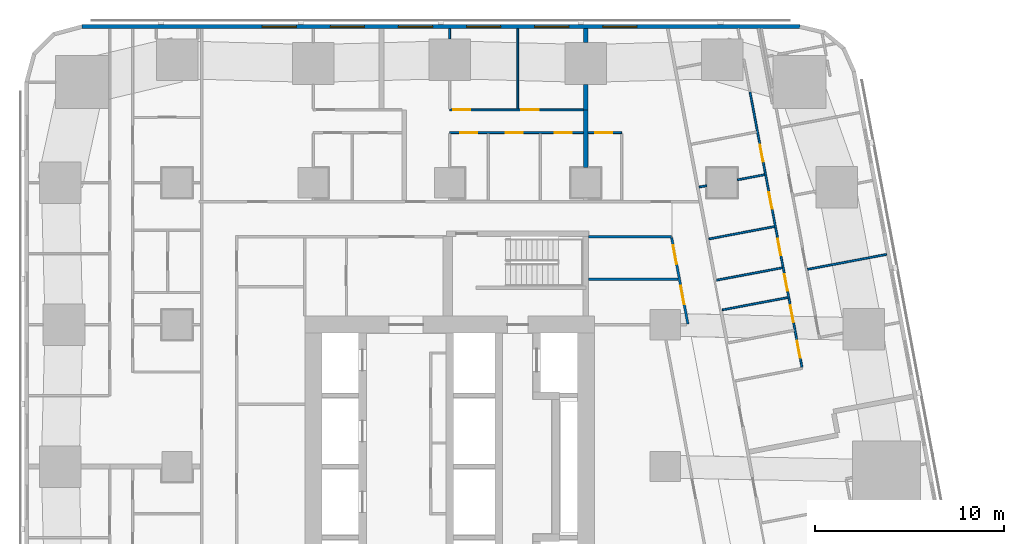
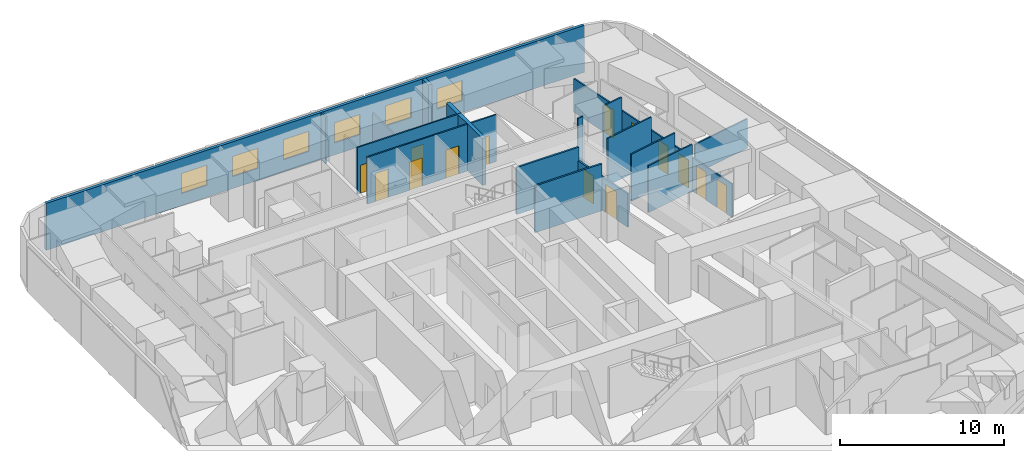
# One storey, part 11 of 17: 19 walls, 14 doors, 6 windows, 20 openings.
"""IFC4 building model written with IfcOpenShell, lengths in metres."""

from ifc_helpers import new_model, si_unit, direction, frame, frame_2d, origin, place, context, subcontext, project, spatial, rectangle, extrude, material, layer, layer_set, type_object, element, fill, save


model = new_model("IFC4")

# Units and contexts
model_context = context("Model", 3, precision=1e-05, world=origin(), true_north=direction((0.0, 1.0)))
body_context = subcontext(model_context, "Body", "Model", "MODEL_VIEW")
ifc_project = project(units=[si_unit("LENGTHUNIT", "METRE"), si_unit("AREAUNIT", "SQUARE_METRE"), si_unit("VOLUMEUNIT", "CUBIC_METRE"), si_unit("PLANEANGLEUNIT", "RADIAN"), si_unit("MASSUNIT", "GRAM", prefix="KILO")], contexts=[model_context])

# Site, building, storey
site_placement = place(None, origin())
site = spatial("IfcSite", under=ifc_project, at=site_placement, CompositionType="ELEMENT")
building_placement = place(site_placement, origin())
building = spatial("IfcBuilding", under=site, at=building_placement, Name="Sheger Commons Tower", CompositionType="ELEMENT")
storey_placement = place(building_placement, frame((0.0, 0.0, 119.14990234375)))
storey = spatial("IfcBuildingStorey", under=building, at=storey_placement, Name="L30", CompositionType="ELEMENT", Elevation=119.14990234375)

# Walls
ifc_material_1 = material(Name="Dense concrete block masonry, plastered both sides (separating wall between flats)", Category="masonry")
ifc_layer_1 = layer(ifc_material_1, 0.25)
ifc_layer_set_1 = layer_set([ifc_layer_1], Name="DEMISING WALL 250")
wall_type_1 = type_object("IfcWallType", Name="DEMISING WALL 250", PredefinedType="SOLIDWALL", material=ifc_layer_set_1)
wall_1_placement = place(storey_placement, frame((28.800048828125, 41.35009765625, 0.0), z_axis=(0.0, 0.0, 1.0), x_axis=(0.0, 1.0, 0.0)))
element("IfcWall", 1, at=wall_1_placement, inside=storey, type_object=wall_type_1, Name="Demising wall L30", PredefinedType="SOLIDWALL", context=body_context, shape_type="SweptSolid", body=[
    extrude(rectangle(XDim=1.348876953125, YDim=0.25, at=frame_2d((0.67431640625, 0.0))), origin(), (0.0, 0.0, 1.0), 3.5),
])
wall_2_placement = place(storey_placement, frame((28.800048828125, 44.90087890625, 0.0), z_axis=(0.0, 0.0, 1.0), x_axis=(0.0, 1.0, 0.0)))
element("IfcWall", 2, at=wall_2_placement, inside=storey, type_object=wall_type_1, Name="Demising wall L30", PredefinedType="SOLIDWALL", context=body_context, shape_type="SweptSolid", body=[
    extrude(rectangle(XDim=0.7490234375, YDim=0.25, at=frame_2d((0.37451171875, 0.0))), origin(), (0.0, 0.0, 1.0), 3.5),
])
wall_3_placement = place(storey_placement, frame((28.800048828125, 38.301025390625, 0.0), z_axis=(0.0, 0.0, 1.0), x_axis=(0.0, 1.0, 0.0)))
element("IfcWall", 3, at=wall_3_placement, inside=storey, type_object=wall_type_1, Name="Demising wall L30", PredefinedType="SOLIDWALL", context=body_context, shape_type="SweptSolid", body=[
    extrude(rectangle(XDim=3.049072265625, YDim=0.25, at=frame_2d((1.5244140625, 0.0))), origin(), (0.0, 0.0, 1.0), 3.5),
])

# Wall, openings, windows
ifc_material_2 = material(Name="Rendered concrete block masonry, dark grey", Category="masonry")
ifc_layer_2 = layer(ifc_material_2, 0.199951171875)
ifc_layer_set_2 = layer_set([ifc_layer_2], Name="FACADE WALL 200")
wall_type_2 = type_object("IfcWallType", Name="FACADE WALL 200", PredefinedType="SOLIDWALL", material=ifc_layer_set_2)
wall_4_placement = place(storey_placement, frame((40.10595703125, 45.75, 0.0), z_axis=(0.0, 0.0, 1.0), x_axis=(-1.0, 0.0, 0.0)))
wall_4 = element("IfcWall", 4, at=wall_4_placement, inside=storey, type_object=wall_type_2, Name="Facade wall L30", PredefinedType="SOLIDWALL", context=body_context, shape_type="SweptSolid", body=[
    extrude(rectangle(XDim=37.94287109375, YDim=0.199951171875, at=frame_2d((18.971435546875, 0.0))), origin(), (0.0, 0.0, 1.0), 3.5),
])
opening_1_placement = place(wall_4_placement, frame((8.60595703125, 0.0, 0.89990234375)))
opening_1 = element("IfcOpeningElement", 5, at=opening_1_placement, cuts=wall_4, Name="Opening W2", PredefinedType="OPENING", context=body_context, shape_type="SweptSolid", body=[
    extrude(rectangle(XDim=1.800048828125, YDim=1.5, at=frame_2d((0.89990234375, 0.75))), frame((0.0, 0.10986328125, 0.0), z_axis=(0.0, -1.0, 0.0), x_axis=(1.0, 0.0, 0.0)), (0.0, 0.0, 1.0), 0.219970703125),
])
opening_2_placement = place(wall_4_placement, frame((12.2060546875, 0.0, 0.89990234375)))
opening_2 = element("IfcOpeningElement", 6, at=opening_2_placement, cuts=wall_4, Name="Opening W2", PredefinedType="OPENING", context=body_context, shape_type="SweptSolid", body=[
    extrude(rectangle(XDim=1.800048828125, YDim=1.5, at=frame_2d((0.89990234375, 0.75))), frame((0.0, 0.10986328125, 0.0), z_axis=(0.0, -1.0, 0.0), x_axis=(1.0, 0.0, 0.0)), (0.0, 0.0, 1.0), 0.219970703125),
])
opening_3_placement = place(wall_4_placement, frame((15.805908203125, 0.0, 0.89990234375)))
opening_3 = element("IfcOpeningElement", 7, at=opening_3_placement, cuts=wall_4, Name="Opening W2", PredefinedType="OPENING", context=body_context, shape_type="SweptSolid", body=[
    extrude(rectangle(XDim=1.800048828125, YDim=1.5, at=frame_2d((0.89990234375, 0.75))), frame((0.0, 0.10986328125, 0.0), z_axis=(0.0, -1.0, 0.0), x_axis=(1.0, 0.0, 0.0)), (0.0, 0.0, 1.0), 0.219970703125),
])
opening_4_placement = place(wall_4_placement, frame((19.406005859375, 0.0, 0.89990234375)))
opening_4 = element("IfcOpeningElement", 8, at=opening_4_placement, cuts=wall_4, Name="Opening W2", PredefinedType="OPENING", context=body_context, shape_type="SweptSolid", body=[
    extrude(rectangle(XDim=1.800048828125, YDim=1.5, at=frame_2d((0.89990234375, 0.75))), frame((0.0, 0.10986328125, 0.0), z_axis=(0.0, -1.0, 0.0), x_axis=(1.0, 0.0, 0.0)), (0.0, 0.0, 1.0), 0.219970703125),
])
opening_5_placement = place(wall_4_placement, frame((23.006103515625, 0.0, 0.89990234375)))
opening_5 = element("IfcOpeningElement", 9, at=opening_5_placement, cuts=wall_4, Name="Opening W2", PredefinedType="OPENING", context=body_context, shape_type="SweptSolid", body=[
    extrude(rectangle(XDim=1.800048828125, YDim=1.5, at=frame_2d((0.89990234375, 0.75))), frame((0.0, 0.10986328125, 0.0), z_axis=(0.0, -1.0, 0.0), x_axis=(1.0, 0.0, 0.0)), (0.0, 0.0, 1.0), 0.219970703125),
])
opening_6_placement = place(wall_4_placement, frame((26.60595703125, 0.0, 0.89990234375)))
opening_6 = element("IfcOpeningElement", 10, at=opening_6_placement, cuts=wall_4, Name="Opening W2", PredefinedType="OPENING", context=body_context, shape_type="SweptSolid", body=[
    extrude(rectangle(XDim=1.800048828125, YDim=1.5, at=frame_2d((0.89990234375, 0.75))), frame((0.0, 0.10986328125, 0.0), z_axis=(0.0, -1.0, 0.0), x_axis=(1.0, 0.0, 0.0)), (0.0, 0.0, 1.0), 0.219970703125),
])
ifc_material_3 = material(Name="Black aluminium frame, dark tinted double glazing", Category="aluminium")
window_type = type_object("IfcWindowType", Name="WINDOW W2 1800x1500", PartitioningType="SINGLE_PANEL", PredefinedType="WINDOW", material=ifc_material_3)
window_1_placement = place(opening_1_placement, origin())
window_1 = element("IfcWindow", 11, at=window_1_placement, inside=storey, type_object=window_type, Name="Window W2 1800X1500", OverallHeight=1.5, OverallWidth=1.800048828125, PartitioningType="SINGLE_PANEL", PredefinedType="WINDOW", context=body_context, shape_type="SweptSolid", body=[
    extrude(rectangle(XDim=1.800048828125, YDim=1.5, at=frame_2d((0.89990234375, 0.75))), frame((0.0, 0.030029296875, 0.0), z_axis=(0.0, -1.0, 0.0), x_axis=(1.0, 0.0, 0.0)), (0.0, 0.0, 1.0), 0.06005859375),
])
fill(opening_1, window_1)
window_2_placement = place(opening_2_placement, origin())
window_2 = element("IfcWindow", 12, at=window_2_placement, inside=storey, type_object=window_type, Name="Window W2 1800X1500", OverallHeight=1.5, OverallWidth=1.800048828125, PartitioningType="SINGLE_PANEL", PredefinedType="WINDOW", context=body_context, shape_type="SweptSolid", body=[
    extrude(rectangle(XDim=1.800048828125, YDim=1.5, at=frame_2d((0.89990234375, 0.75))), frame((0.0, 0.030029296875, 0.0), z_axis=(0.0, -1.0, 0.0), x_axis=(1.0, 0.0, 0.0)), (0.0, 0.0, 1.0), 0.06005859375),
])
fill(opening_2, window_2)
window_3_placement = place(opening_3_placement, origin())
window_3 = element("IfcWindow", 13, at=window_3_placement, inside=storey, type_object=window_type, Name="Window W2 1800X1500", OverallHeight=1.5, OverallWidth=1.800048828125, PartitioningType="SINGLE_PANEL", PredefinedType="WINDOW", context=body_context, shape_type="SweptSolid", body=[
    extrude(rectangle(XDim=1.800048828125, YDim=1.5, at=frame_2d((0.89990234375, 0.75))), frame((0.0, 0.030029296875, 0.0), z_axis=(0.0, -1.0, 0.0), x_axis=(1.0, 0.0, 0.0)), (0.0, 0.0, 1.0), 0.06005859375),
])
fill(opening_3, window_3)
window_4_placement = place(opening_4_placement, origin())
window_4 = element("IfcWindow", 14, at=window_4_placement, inside=storey, type_object=window_type, Name="Window W2 1800X1500", OverallHeight=1.5, OverallWidth=1.800048828125, PartitioningType="SINGLE_PANEL", PredefinedType="WINDOW", context=body_context, shape_type="SweptSolid", body=[
    extrude(rectangle(XDim=1.800048828125, YDim=1.5, at=frame_2d((0.89990234375, 0.75))), frame((0.0, 0.030029296875, 0.0), z_axis=(0.0, -1.0, 0.0), x_axis=(1.0, 0.0, 0.0)), (0.0, 0.0, 1.0), 0.06005859375),
])
fill(opening_4, window_4)
window_5_placement = place(opening_5_placement, origin())
window_5 = element("IfcWindow", 15, at=window_5_placement, inside=storey, type_object=window_type, Name="Window W2 1800X1500", OverallHeight=1.5, OverallWidth=1.800048828125, PartitioningType="SINGLE_PANEL", PredefinedType="WINDOW", context=body_context, shape_type="SweptSolid", body=[
    extrude(rectangle(XDim=1.800048828125, YDim=1.5, at=frame_2d((0.89990234375, 0.75))), frame((0.0, 0.030029296875, 0.0), z_axis=(0.0, -1.0, 0.0), x_axis=(1.0, 0.0, 0.0)), (0.0, 0.0, 1.0), 0.06005859375),
])
fill(opening_5, window_5)
window_6_placement = place(opening_6_placement, origin())
window_6 = element("IfcWindow", 16, at=window_6_placement, inside=storey, type_object=window_type, Name="Window W2 1800X1500", OverallHeight=1.5, OverallWidth=1.800048828125, PartitioningType="SINGLE_PANEL", PredefinedType="WINDOW", context=body_context, shape_type="SweptSolid", body=[
    extrude(rectangle(XDim=1.800048828125, YDim=1.5, at=frame_2d((0.89990234375, 0.75))), frame((0.0, 0.030029296875, 0.0), z_axis=(0.0, -1.0, 0.0), x_axis=(1.0, 0.0, 0.0)), (0.0, 0.0, 1.0), 0.06005859375),
])
fill(opening_6, window_6)

# Wall, openings, doors
ifc_material_4 = material(Name="Gypsum board on steel studs", Category="steel")
ifc_layer_3 = layer(ifc_material_4, 0.10009765625)
ifc_layer_set_3 = layer_set([ifc_layer_3], Name="PARTITION 100")
wall_type_3 = type_object("IfcWallType", Name="PARTITION 100", PredefinedType="PARTITIONING", material=ifc_layer_set_3)
wall_5_placement = place(storey_placement, frame((37.472900390625, 42.30908203125, 0.0), z_axis=(0.0, 0.0, 1.0), x_axis=(0.185583982986, -0.982628406499, 0.0)))
wall_5 = element("IfcWall", 17, at=wall_5_placement, inside=storey, type_object=wall_type_3, Name="Partition L30", PredefinedType="PARTITIONING", context=body_context, shape_type="SweptSolid", body=[
    extrude(rectangle(XDim=14.82470703125, YDim=0.10009765625, at=frame_2d((7.412353515625, 0.0))), origin(), (0.0, 0.0, 1.0), 2.5),
])
opening_7_placement = place(wall_5_placement, frame((13.39990234375, 0.0, 0.0)))
opening_7 = element("IfcOpeningElement", 18, at=opening_7_placement, cuts=wall_5, Name="Opening D2", PredefinedType="OPENING", context=body_context, shape_type="SweptSolid", body=[
    extrude(rectangle(XDim=0.89990234375, YDim=2.10009765625, at=frame_2d((0.449951171875, 1.050048828125))), frame((0.0, 0.06005859375, 0.0), z_axis=(0.0, -1.0, 0.0), x_axis=(1.0, 0.0, 0.0)), (0.0, 0.0, 1.0), 0.1201171875),
])
opening_8_placement = place(wall_5_placement, frame((9.80810546875, 0.0, 0.0)))
opening_8 = element("IfcOpeningElement", 19, at=opening_8_placement, cuts=wall_5, Name="Opening D2", PredefinedType="OPENING", context=body_context, shape_type="SweptSolid", body=[
    extrude(rectangle(XDim=0.89990234375, YDim=2.10009765625, at=frame_2d((0.449951171875, 1.050048828125))), frame((0.0, 0.06005859375, 0.0), z_axis=(0.0, -1.0, 0.0), x_axis=(1.0, 0.0, 0.0)), (0.0, 0.0, 1.0), 0.1201171875),
])
opening_9_placement = place(wall_5_placement, frame((5.39697265625, 0.0, 0.0)))
opening_9 = element("IfcOpeningElement", 20, at=opening_9_placement, cuts=wall_5, Name="Opening D2", PredefinedType="OPENING", context=body_context, shape_type="SweptSolid", body=[
    extrude(rectangle(XDim=0.89990234375, YDim=2.10009765625, at=frame_2d((0.449951171875, 1.050048828125))), frame((0.0, 0.06005859375, 0.0), z_axis=(0.0, -1.0, 0.0), x_axis=(1.0, 0.0, 0.0)), (0.0, 0.0, 1.0), 0.1201171875),
])
opening_10_placement = place(wall_5_placement, frame((2.85302734375, 0.0, 0.0)))
opening_10 = element("IfcOpeningElement", 21, at=opening_10_placement, cuts=wall_5, Name="Opening D2", PredefinedType="OPENING", context=body_context, shape_type="SweptSolid", body=[
    extrude(rectangle(XDim=0.89990234375, YDim=2.10009765625, at=frame_2d((0.449951171875, 1.050048828125))), frame((0.0, 0.06005859375, 0.0), z_axis=(0.0, -1.0, 0.0), x_axis=(1.0, 0.0, 0.0)), (0.0, 0.0, 1.0), 0.1201171875),
])
opening_11_placement = place(wall_5_placement, frame((11.490966796875, 0.0, 0.0)))
opening_11 = element("IfcOpeningElement", 22, at=opening_11_placement, cuts=wall_5, Name="Opening D2", PredefinedType="OPENING", context=body_context, shape_type="SweptSolid", body=[
    extrude(rectangle(XDim=0.89990234375, YDim=2.10009765625, at=frame_2d((0.449951171875, 1.050048828125))), frame((0.0, 0.06005859375, 0.0), z_axis=(0.0, -1.0, 0.0), x_axis=(1.0, 0.0, 0.0)), (0.0, 0.0, 1.0), 0.1201171875),
])
opening_12_placement = place(wall_5_placement, frame((7.89990234375, 0.0, 0.0)))
opening_12 = element("IfcOpeningElement", 23, at=opening_12_placement, cuts=wall_5, Name="Opening D2", PredefinedType="OPENING", context=body_context, shape_type="SweptSolid", body=[
    extrude(rectangle(XDim=0.89990234375, YDim=2.10009765625, at=frame_2d((0.449951171875, 1.050048828125))), frame((0.0, 0.06005859375, 0.0), z_axis=(0.0, -1.0, 0.0), x_axis=(1.0, 0.0, 0.0)), (0.0, 0.0, 1.0), 0.1201171875),
])
ifc_material_5 = material(Name="Timber door set", Category="wood")
door_type_1 = type_object("IfcDoorType", Name="INTERNAL DOOR 900x2100", OperationType="NOTDEFINED", PredefinedType="DOOR", material=ifc_material_5)
door_1_placement = place(opening_7_placement, origin())
door_1 = element("IfcDoor", 24, at=door_1_placement, inside=storey, type_object=door_type_1, Name="Bathroom door", OperationType="SINGLE_SWING_LEFT", OverallHeight=2.10009765625, OverallWidth=0.89990234375, PredefinedType="DOOR", context=body_context, shape_type="SweptSolid", body=[
    extrude(rectangle(XDim=0.89990234375, YDim=2.10009765625, at=frame_2d((0.449951171875, 1.050048828125))), frame((0.0, 0.02490234375, 0.0), z_axis=(0.0, -1.0, 0.0), x_axis=(1.0, 0.0, 0.0)), (0.0, 0.0, 1.0), 0.050048828125),
])
fill(opening_7, door_1)
door_2_placement = place(opening_8_placement, origin())
door_2 = element("IfcDoor", 25, at=door_2_placement, inside=storey, type_object=door_type_1, Name="Shower room door", OperationType="SINGLE_SWING_RIGHT", OverallHeight=2.10009765625, OverallWidth=0.89990234375, PredefinedType="DOOR", context=body_context, shape_type="SweptSolid", body=[
    extrude(rectangle(XDim=0.89990234375, YDim=2.10009765625, at=frame_2d((0.449951171875, 1.050048828125))), frame((0.0, 0.02490234375, 0.0), z_axis=(0.0, -1.0, 0.0), x_axis=(1.0, 0.0, 0.0)), (0.0, 0.0, 1.0), 0.050048828125),
])
fill(opening_8, door_2)
door_3_placement = place(opening_9_placement, origin())
door_3 = element("IfcDoor", 26, at=door_3_placement, inside=storey, type_object=door_type_1, Name="Store and laundry door", OperationType="SINGLE_SWING_RIGHT", OverallHeight=2.10009765625, OverallWidth=0.89990234375, PredefinedType="DOOR", context=body_context, shape_type="SweptSolid", body=[
    extrude(rectangle(XDim=0.89990234375, YDim=2.10009765625, at=frame_2d((0.449951171875, 1.050048828125))), frame((0.0, 0.02490234375, 0.0), z_axis=(0.0, -1.0, 0.0), x_axis=(1.0, 0.0, 0.0)), (0.0, 0.0, 1.0), 0.050048828125),
])
fill(opening_9, door_3)
door_4_placement = place(opening_10_placement, origin())
door_4 = element("IfcDoor", 27, at=door_4_placement, inside=storey, type_object=door_type_1, Name="Store and laundry door", OperationType="SINGLE_SWING_LEFT", OverallHeight=2.10009765625, OverallWidth=0.89990234375, PredefinedType="DOOR", context=body_context, shape_type="SweptSolid", body=[
    extrude(rectangle(XDim=0.89990234375, YDim=2.10009765625, at=frame_2d((0.449951171875, 1.050048828125))), frame((0.0, 0.02490234375, 0.0), z_axis=(0.0, -1.0, 0.0), x_axis=(1.0, 0.0, 0.0)), (0.0, 0.0, 1.0), 0.050048828125),
])
fill(opening_10, door_4)
door_5_placement = place(opening_11_placement, origin())
door_5 = element("IfcDoor", 28, at=door_5_placement, inside=storey, type_object=door_type_1, Name="Store door", OperationType="SINGLE_SWING_LEFT", OverallHeight=2.10009765625, OverallWidth=0.89990234375, PredefinedType="DOOR", context=body_context, shape_type="SweptSolid", body=[
    extrude(rectangle(XDim=0.89990234375, YDim=2.10009765625, at=frame_2d((0.449951171875, 1.050048828125))), frame((0.0, 0.02490234375, 0.0), z_axis=(0.0, -1.0, 0.0), x_axis=(1.0, 0.0, 0.0)), (0.0, 0.0, 1.0), 0.050048828125),
])
fill(opening_11, door_5)
door_6_placement = place(opening_12_placement, origin())
door_6 = element("IfcDoor", 29, at=door_6_placement, inside=storey, type_object=door_type_1, Name="Store door", OperationType="SINGLE_SWING_LEFT", OverallHeight=2.10009765625, OverallWidth=0.89990234375, PredefinedType="DOOR", context=body_context, shape_type="SweptSolid", body=[
    extrude(rectangle(XDim=0.89990234375, YDim=2.10009765625, at=frame_2d((0.449951171875, 1.050048828125))), frame((0.0, 0.02490234375, 0.0), z_axis=(0.0, -1.0, 0.0), x_axis=(1.0, 0.0, 0.0)), (0.0, 0.0, 1.0), 0.050048828125),
])
fill(opening_12, door_6)

# Walls
wall_6_placement = place(storey_placement, frame((44.693115234375, 33.712890625, 0.0), z_axis=(0.0, 0.0, 1.0), x_axis=(-0.982623519589, -0.185609856287, 0.0)))
element("IfcWall", 30, at=wall_6_placement, inside=storey, type_object=wall_type_3, Name="Partition L30", PredefinedType="PARTITIONING", context=body_context, shape_type="SweptSolid", body=[
    extrude(rectangle(XDim=4.249755859375, YDim=0.10009765625, at=frame_2d((2.125, 0.0))), origin(), (0.0, 0.0, 1.0), 2.2001953125),
])
wall_7_placement = place(storey_placement, frame((38.25, 37.925048828125, 0.0), z_axis=(0.0, 0.0, 1.0), x_axis=(-0.982626127294, -0.185596050493, 0.0)))
element("IfcWall", 31, at=wall_7_placement, inside=storey, type_object=wall_type_3, Name="Partition L30", PredefinedType="PARTITIONING", context=body_context, shape_type="SweptSolid", body=[
    extrude(rectangle(XDim=1.46533203125, YDim=0.10009765625, at=frame_2d((0.732666015625, 0.0))), origin(), (0.0, 0.0, 1.0), 3.5),
])
wall_8_placement = place(storey_placement, frame((35.18994140625, 37.346923828125, 0.0), z_axis=(0.0, 0.0, 1.0), x_axis=(-0.982798158448, -0.184682916784, 0.0)))
element("IfcWall", 32, at=wall_8_placement, inside=storey, type_object=wall_type_3, Name="Partition L30", PredefinedType="PARTITIONING", context=body_context, shape_type="SweptSolid", body=[
    extrude(rectangle(XDim=0.4111328125, YDim=0.10009765625, at=frame_2d((0.20556640625, 0.0))), origin(), (0.0, 0.0, 1.0), 3.5),
])
for number, where, z_axis, x_axis, name in (
    (33, (39.47607421875, 31.43408203125, 0.0), (0.0, 0.0, 1.0), (-0.982638553676, -0.185530247748, 0.0), "Partition L30"),
    (34, (38.76806640625, 35.18408203125, 0.0), (0.0, 0.0, 1.0), (-0.982588017646, -0.185797706064, 0.0), "Partition L30"),
):
    element("IfcWall", number, at=place(storey_placement, frame(where, z_axis=z_axis, x_axis=x_axis)), inside=storey, type_object=wall_type_3, Name=name, PredefinedType="PARTITIONING", context=body_context, shape_type="SweptSolid", body=[
        extrude(rectangle(XDim=3.525390625, YDim=0.10009765625, at=frame_2d((1.7626953125, 0.0))), origin(), (0.0, 0.0, 1.0), 3.5),
    ])
wall_9_placement = place(storey_placement, frame((39.178955078125, 33.006103515625, 0.0), z_axis=(0.0, 0.0, 1.0), x_axis=(-0.982636169624, -0.185542874149, 0.0)))
element("IfcWall", 35, at=wall_9_placement, inside=storey, type_object=wall_type_3, Name="Partition L30", PredefinedType="PARTITIONING", context=body_context, shape_type="SweptSolid", body=[
    extrude(rectangle(XDim=3.525146484375, YDim=0.10009765625, at=frame_2d((1.7626953125, 0.0))), origin(), (0.0, 0.0, 1.0), 3.5),
])

# Wall, openings, doors
wall_10_placement = place(storey_placement, frame((21.60009765625, 41.35009765625, 0.0), z_axis=(0.0, 0.0, 1.0), x_axis=(1.0, 0.0, 0.0)))
wall_10 = element("IfcWall", 36, at=wall_10_placement, inside=storey, type_object=wall_type_3, Name="Partition L30", PredefinedType="PARTITIONING", context=body_context, shape_type="SweptSolid", body=[
    extrude(rectangle(XDim=7.074951171875, YDim=0.10009765625, at=frame_2d((3.53759765625, 0.0))), origin(), (0.0, 0.0, 1.0), 3.5),
])
opening_13_placement = place(wall_10_placement, frame((0.199951171875, 0.0, 0.0)))
opening_13 = element("IfcOpeningElement", 37, at=opening_13_placement, cuts=wall_10, Name="Opening D2", PredefinedType="OPENING", context=body_context, shape_type="SweptSolid", body=[
    extrude(rectangle(XDim=0.89990234375, YDim=2.10009765625, at=frame_2d((0.449951171875, 1.050048828125))), frame((0.0, 0.06005859375, 0.0), z_axis=(0.0, -1.0, 0.0), x_axis=(1.0, 0.0, 0.0)), (0.0, 0.0, 1.0), 0.1201171875),
])
opening_14_placement = place(wall_10_placement, frame((3.800048828125, 0.0, 0.0)))
opening_14 = element("IfcOpeningElement", 38, at=opening_14_placement, cuts=wall_10, Name="Opening D2", PredefinedType="OPENING", context=body_context, shape_type="SweptSolid", body=[
    extrude(rectangle(XDim=0.89990234375, YDim=2.10009765625, at=frame_2d((0.449951171875, 1.050048828125))), frame((0.0, 0.06005859375, 0.0), z_axis=(0.0, -1.0, 0.0), x_axis=(1.0, 0.0, 0.0)), (0.0, 0.0, 1.0), 0.1201171875),
])
door_7_placement = place(opening_13_placement, origin())
door_7 = element("IfcDoor", 39, at=door_7_placement, inside=storey, type_object=door_type_1, Name="Main bedroom door", OperationType="SINGLE_SWING_LEFT", OverallHeight=2.10009765625, OverallWidth=0.89990234375, PredefinedType="DOOR", context=body_context, shape_type="SweptSolid", body=[
    extrude(rectangle(XDim=0.89990234375, YDim=2.10009765625, at=frame_2d((0.449951171875, 1.050048828125))), frame((0.0, 0.02490234375, 0.0), z_axis=(0.0, -1.0, 0.0), x_axis=(1.0, 0.0, 0.0)), (0.0, 0.0, 1.0), 0.050048828125),
])
fill(opening_13, door_7)
door_8_placement = place(opening_14_placement, origin())
door_8 = element("IfcDoor", 40, at=door_8_placement, inside=storey, type_object=door_type_1, Name="Bedroom 2 door", OperationType="SINGLE_SWING_LEFT", OverallHeight=2.10009765625, OverallWidth=0.89990234375, PredefinedType="DOOR", context=body_context, shape_type="SweptSolid", body=[
    extrude(rectangle(XDim=0.89990234375, YDim=2.10009765625, at=frame_2d((0.449951171875, 1.050048828125))), frame((0.0, 0.02490234375, 0.0), z_axis=(0.0, -1.0, 0.0), x_axis=(1.0, 0.0, 0.0)), (0.0, 0.0, 1.0), 0.050048828125),
])
fill(opening_14, door_8)

wall_11_placement = place(storey_placement, frame((21.60009765625, 40.14990234375, 0.0), z_axis=(0.0, 0.0, 1.0), x_axis=(1.0, 0.0, 0.0)))
wall_11 = element("IfcWall", 41, at=wall_11_placement, inside=storey, type_object=wall_type_3, Name="Partition L30", PredefinedType="PARTITIONING", context=body_context, shape_type="SweptSolid", body=[
    extrude(rectangle(XDim=7.074951171875, YDim=0.10009765625, at=frame_2d((3.53759765625, 0.0))), origin(), (0.0, 0.0, 1.0), 3.5),
])
opening_15_placement = place(wall_11_placement, frame((0.574951171875, 0.0, 0.0)))
opening_15 = element("IfcOpeningElement", 42, at=opening_15_placement, cuts=wall_11, Name="Opening D2", PredefinedType="OPENING", context=body_context, shape_type="SweptSolid", body=[
    extrude(rectangle(XDim=0.89990234375, YDim=2.10009765625, at=frame_2d((0.449951171875, 1.050048828125))), frame((0.0, 0.06005859375, 0.0), z_axis=(0.0, -1.0, 0.0), x_axis=(1.0, 0.0, 0.0)), (0.0, 0.0, 1.0), 0.1201171875),
])
opening_16_placement = place(wall_11_placement, frame((5.549072265625, 0.0, 0.0)))
opening_16 = element("IfcOpeningElement", 43, at=opening_16_placement, cuts=wall_11, Name="Opening D2", PredefinedType="OPENING", context=body_context, shape_type="SweptSolid", body=[
    extrude(rectangle(XDim=0.89990234375, YDim=2.10009765625, at=frame_2d((0.449951171875, 1.050048828125))), frame((0.0, 0.06005859375, 0.0), z_axis=(0.0, -1.0, 0.0), x_axis=(1.0, 0.0, 0.0)), (0.0, 0.0, 1.0), 0.1201171875),
])
opening_17_placement = place(wall_11_placement, frame((2.97412109375, 0.0, 0.0)))
opening_17 = element("IfcOpeningElement", 44, at=opening_17_placement, cuts=wall_11, Name="Opening D2", PredefinedType="OPENING", context=body_context, shape_type="SweptSolid", body=[
    extrude(rectangle(XDim=0.89990234375, YDim=2.10009765625, at=frame_2d((0.449951171875, 1.050048828125))), frame((0.0, 0.06005859375, 0.0), z_axis=(0.0, -1.0, 0.0), x_axis=(1.0, 0.0, 0.0)), (0.0, 0.0, 1.0), 0.1201171875),
])
door_9_placement = place(opening_15_placement, origin())
door_9 = element("IfcDoor", 45, at=door_9_placement, inside=storey, type_object=door_type_1, Name="Bathroom door", OperationType="SINGLE_SWING_RIGHT", OverallHeight=2.10009765625, OverallWidth=0.89990234375, PredefinedType="DOOR", context=body_context, shape_type="SweptSolid", body=[
    extrude(rectangle(XDim=0.89990234375, YDim=2.10009765625, at=frame_2d((0.449951171875, 1.050048828125))), frame((0.0, 0.02490234375, 0.0), z_axis=(0.0, -1.0, 0.0), x_axis=(1.0, 0.0, 0.0)), (0.0, 0.0, 1.0), 0.050048828125),
])
fill(opening_15, door_9)
door_10_placement = place(opening_16_placement, origin())
door_10 = element("IfcDoor", 46, at=door_10_placement, inside=storey, type_object=door_type_1, Name="Laundry room door", OperationType="SINGLE_SWING_LEFT", OverallHeight=2.10009765625, OverallWidth=0.89990234375, PredefinedType="DOOR", context=body_context, shape_type="SweptSolid", body=[
    extrude(rectangle(XDim=0.89990234375, YDim=2.10009765625, at=frame_2d((0.449951171875, 1.050048828125))), frame((0.0, 0.02490234375, 0.0), z_axis=(0.0, -1.0, 0.0), x_axis=(1.0, 0.0, 0.0)), (0.0, 0.0, 1.0), 0.050048828125),
])
fill(opening_16, door_10)
door_11_placement = place(opening_17_placement, origin())
door_11 = element("IfcDoor", 47, at=door_11_placement, inside=storey, type_object=door_type_1, Name="Store door", OperationType="SINGLE_SWING_RIGHT", OverallHeight=2.10009765625, OverallWidth=0.89990234375, PredefinedType="DOOR", context=body_context, shape_type="SweptSolid", body=[
    extrude(rectangle(XDim=0.89990234375, YDim=2.10009765625, at=frame_2d((0.449951171875, 1.050048828125))), frame((0.0, 0.02490234375, 0.0), z_axis=(0.0, -1.0, 0.0), x_axis=(1.0, 0.0, 0.0)), (0.0, 0.0, 1.0), 0.050048828125),
])
fill(opening_17, door_11)

# Walls
wall_12_placement = place(storey_placement, frame((21.60009765625, 45.10107421875, 0.0), z_axis=(0.0, 0.0, 1.0), x_axis=(0.0, 1.0, 0.0)))
element("IfcWall", 48, at=wall_12_placement, inside=storey, type_object=wall_type_3, Name="Partition L30", PredefinedType="PARTITIONING", context=body_context, shape_type="SweptSolid", body=[
    extrude(rectangle(XDim=0.548828125, YDim=0.10009765625, at=frame_2d((0.2744140625, 0.0))), origin(), (0.0, 0.0, 1.0), 3.5),
])
wall_13_placement = place(storey_placement, frame((25.199951171875, 41.39990234375, 0.0), z_axis=(0.0, 0.0, 1.0), x_axis=(0.0, 1.0, 0.0)))
element("IfcWall", 49, at=wall_13_placement, inside=storey, type_object=wall_type_3, Name="Partition L30", PredefinedType="PARTITIONING", context=body_context, shape_type="SweptSolid", body=[
    extrude(rectangle(XDim=4.25, YDim=0.10009765625, at=frame_2d((2.125, 0.0))), origin(), (0.0, 0.0, 1.0), 2.2001953125),
])

# Wall, opening, door
wall_14_placement = place(storey_placement, frame((28.925048828125, 40.14990234375, 0.0), z_axis=(0.0, 0.0, 1.0), x_axis=(1.0, 0.0, 0.0)))
wall_14 = element("IfcWall", 50, at=wall_14_placement, inside=storey, type_object=wall_type_3, Name="Partition L30", PredefinedType="PARTITIONING", context=body_context, shape_type="SweptSolid", body=[
    extrude(rectangle(XDim=1.764892578125, YDim=0.10009765625, at=frame_2d((0.88232421875, 0.0))), origin(), (0.0, 0.0, 1.0), 3.5),
])
opening_18_placement = place(wall_14_placement, frame((0.375, 0.0, 0.0)))
opening_18 = element("IfcOpeningElement", 51, at=opening_18_placement, cuts=wall_14, Name="Opening D2", PredefinedType="OPENING", context=body_context, shape_type="SweptSolid", body=[
    extrude(rectangle(XDim=0.89990234375, YDim=2.10009765625, at=frame_2d((0.449951171875, 1.050048828125))), frame((0.0, 0.06005859375, 0.0), z_axis=(0.0, -1.0, 0.0), x_axis=(1.0, 0.0, 0.0)), (0.0, 0.0, 1.0), 0.1201171875),
])
door_12_placement = place(opening_18_placement, origin())
door_12 = element("IfcDoor", 52, at=door_12_placement, inside=storey, type_object=door_type_1, Name="Shower room door", OperationType="SINGLE_SWING_RIGHT", OverallHeight=2.10009765625, OverallWidth=0.89990234375, PredefinedType="DOOR", context=body_context, shape_type="SweptSolid", body=[
    extrude(rectangle(XDim=0.89990234375, YDim=2.10009765625, at=frame_2d((0.449951171875, 1.050048828125))), frame((0.0, 0.02490234375, 0.0), z_axis=(0.0, -1.0, 0.0), x_axis=(1.0, 0.0, 0.0)), (0.0, 0.0, 1.0), 0.050048828125),
])
fill(opening_18, door_12)

# Wall
ifc_material_6 = material(Name="Gypsum board on steel studs, two layers each side, fire rated", Category="steel")
ifc_layer_4 = layer(ifc_material_6, 0.125)
ifc_layer_set_4 = layer_set([ifc_layer_4], Name="SERVICE WALL 125")
wall_type_4 = type_object("IfcWallType", Name="SERVICE WALL 125", PredefinedType="PARTITIONING", material=ifc_layer_set_4)
wall_15_placement = place(storey_placement, frame((28.949951171875, 34.64990234375, 0.0), z_axis=(0.0, 0.0, 1.0), x_axis=(1.0, 0.0, 0.0)))
element("IfcWall", 53, at=wall_15_placement, inside=storey, type_object=wall_type_4, Name="Service room wall L30", PredefinedType="PARTITIONING", context=body_context, shape_type="SweptSolid", body=[
    extrude(rectangle(XDim=4.381103515625, YDim=0.125, at=frame_2d((2.1904296875, 0.0))), origin(), (0.0, 0.0, 1.0), 3.5),
])

# Wall, openings, doors
wall_16_placement = place(storey_placement, frame((34.193115234375, 30.0400390625, 0.0), z_axis=(0.0, 0.0, 1.0), x_axis=(-0.185626015863, 0.982620467034, 0.0)))
wall_16 = element("IfcWall", 54, at=wall_16_placement, inside=storey, type_object=wall_type_4, Name="Service room wall L30", PredefinedType="PARTITIONING", context=body_context, shape_type="SweptSolid", body=[
    extrude(rectangle(XDim=4.628173828125, YDim=0.125, at=frame_2d((2.31396484375, 0.0))), origin(), (0.0, 0.0, 1.0), 2.5),
])
opening_19_placement = place(wall_16_placement, frame((1.050048828125, 0.0, 0.0)))
opening_19 = element("IfcOpeningElement", 55, at=opening_19_placement, cuts=wall_16, Name="Opening D4", PredefinedType="OPENING", context=body_context, shape_type="SweptSolid", body=[
    extrude(rectangle(XDim=1.0, YDim=2.10009765625, at=frame_2d((0.5, 1.050048828125))), frame((0.0, 0.072509765625, 0.0), z_axis=(0.0, -1.0, 0.0), x_axis=(1.0, 0.0, 0.0)), (0.0, 0.0, 1.0), 0.14501953125),
])
opening_20_placement = place(wall_16_placement, frame((3.22509765625, 0.0, 0.0)))
opening_20 = element("IfcOpeningElement", 56, at=opening_20_placement, cuts=wall_16, Name="Opening D4", PredefinedType="OPENING", context=body_context, shape_type="SweptSolid", body=[
    extrude(rectangle(XDim=1.0, YDim=2.10009765625, at=frame_2d((0.5, 1.050048828125))), frame((0.0, 0.072509765625, 0.0), z_axis=(0.0, -1.0, 0.0), x_axis=(1.0, 0.0, 0.0)), (0.0, 0.0, 1.0), 0.14501953125),
])
ifc_material_7 = material(Name="Steel door set, fire rated", Category="steel")
door_type_2 = type_object("IfcDoorType", Name="SERVICE DOOR 1000x2100", OperationType="NOTDEFINED", PredefinedType="DOOR", material=ifc_material_7)
door_13_placement = place(opening_19_placement, origin())
door_13 = element("IfcDoor", 57, at=door_13_placement, inside=storey, type_object=door_type_2, Name="Linen store door", OperationType="SINGLE_SWING_RIGHT", OverallHeight=2.10009765625, OverallWidth=1.0, PredefinedType="DOOR", context=body_context, shape_type="SweptSolid", body=[
    extrude(rectangle(XDim=1.0, YDim=2.10009765625, at=frame_2d((0.5, 1.050048828125))), frame((0.0, 0.02490234375, 0.0), z_axis=(0.0, -1.0, 0.0), x_axis=(1.0, 0.0, 0.0)), (0.0, 0.0, 1.0), 0.050048828125),
])
fill(opening_19, door_13)
door_14_placement = place(opening_20_placement, origin())
door_14 = element("IfcDoor", 58, at=door_14_placement, inside=storey, type_object=door_type_2, Name="Cleaner's store door", OperationType="SINGLE_SWING_RIGHT", OverallHeight=2.10009765625, OverallWidth=1.0, PredefinedType="DOOR", context=body_context, shape_type="SweptSolid", body=[
    extrude(rectangle(XDim=1.0, YDim=2.10009765625, at=frame_2d((0.5, 1.050048828125))), frame((0.0, 0.02490234375, 0.0), z_axis=(0.0, -1.0, 0.0), x_axis=(1.0, 0.0, 0.0)), (0.0, 0.0, 1.0), 0.050048828125),
])
fill(opening_20, door_14)

# Wall
wall_17_placement = place(storey_placement, frame((28.949951171875, 32.39990234375, 0.0), z_axis=(0.0, 0.0, 1.0), x_axis=(1.0, 0.0, 0.0)))
element("IfcWall", 59, at=wall_17_placement, inside=storey, type_object=wall_type_4, Name="Service room wall L30", PredefinedType="PARTITIONING", context=body_context, shape_type="SweptSolid", body=[
    extrude(rectangle(XDim=4.72216796875, YDim=0.125, at=frame_2d((2.361083984375, 0.0))), origin(), (0.0, 0.0, 1.0), 3.5),
])

save(model, "model.ifc")
